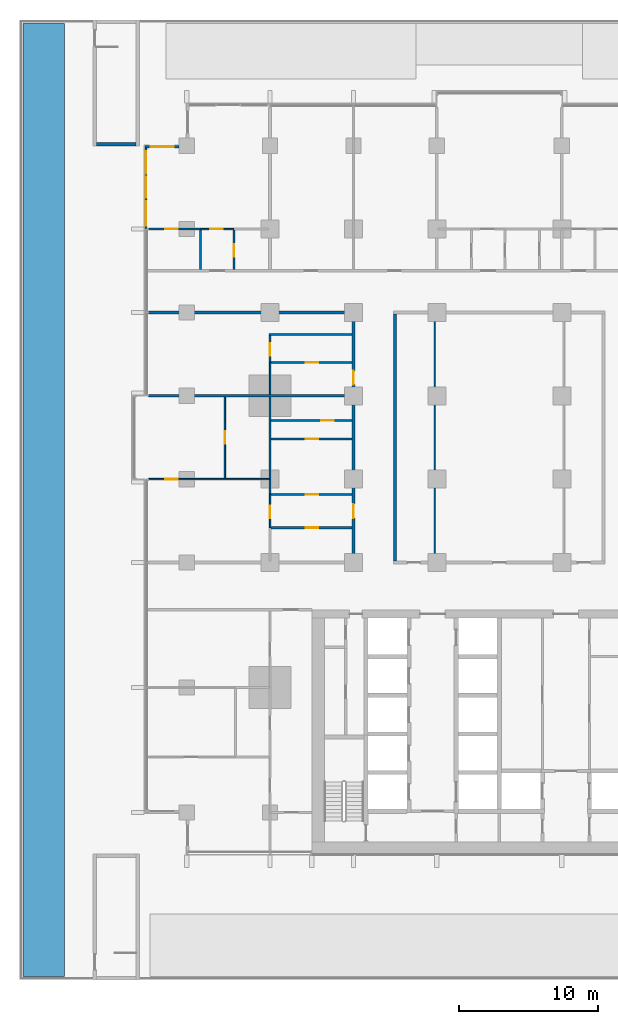
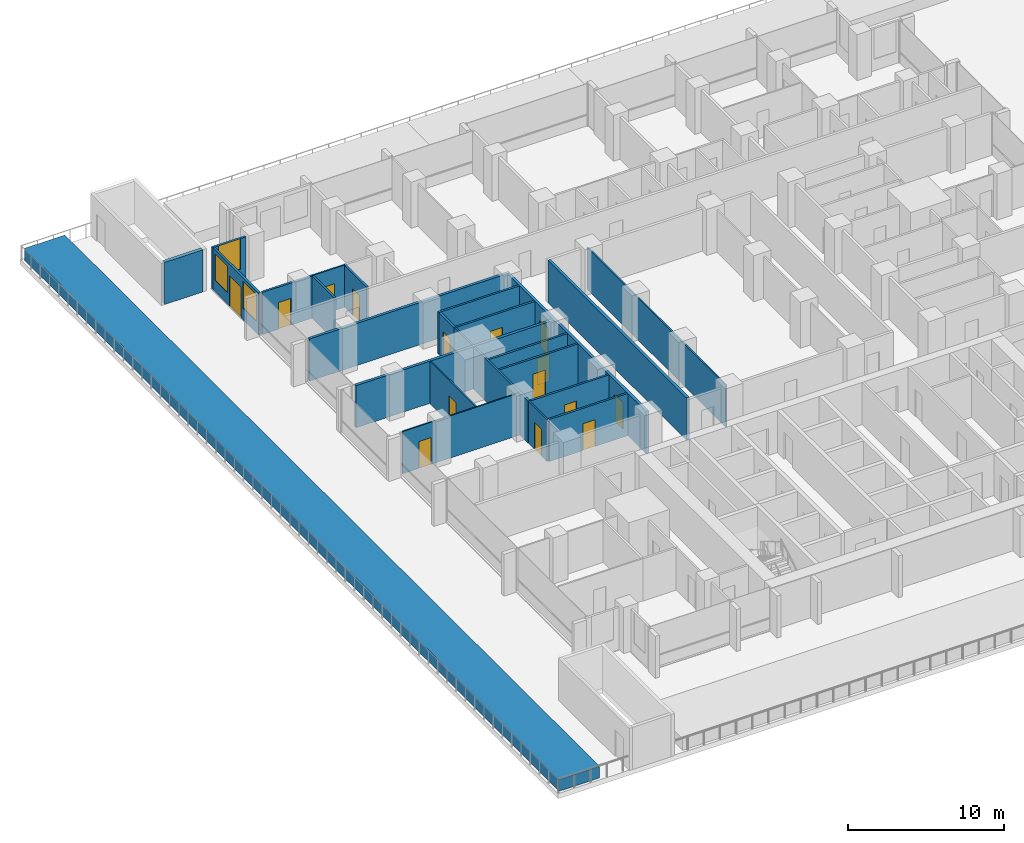
# One storey, part 13 of 25: 25 walls, 15 doors, 3 windows, 18 openings.
"""IFC4 building model written with IfcOpenShell, lengths in metres."""

from ifc_helpers import new_model, si_unit, direction, frame, frame_2d, origin, place, context, subcontext, project, spatial, rectangle, extrude, material, layer, layer_set, type_object, element, fill, save


model = new_model("IFC4")

# Units and contexts
model_context = context("Model", 3, precision=1e-05, world=origin(), true_north=direction((0.0, 1.0)))
body_context = subcontext(model_context, "Body", "Model", "MODEL_VIEW")
ifc_project = project(units=[si_unit("LENGTHUNIT", "METRE"), si_unit("AREAUNIT", "SQUARE_METRE"), si_unit("VOLUMEUNIT", "CUBIC_METRE"), si_unit("PLANEANGLEUNIT", "RADIAN"), si_unit("MASSUNIT", "GRAM", prefix="KILO")], contexts=[model_context])

# Site, building, storey
site_placement = place(None, origin())
site = spatial("IfcSite", under=ifc_project, at=site_placement, CompositionType="ELEMENT")
building_placement = place(site_placement, origin())
building = spatial("IfcBuilding", under=site, at=building_placement, Name="Finial Court Residences", CompositionType="ELEMENT")
storey_placement = place(building_placement, frame((0.0, 0.0, 32.5)))
storey = spatial("IfcBuildingStorey", under=building, at=storey_placement, Name="L06", CompositionType="ELEMENT", Elevation=32.5)

# Walls
ifc_material_1 = material(Name="Gypsum board")
ifc_layer_1 = layer(ifc_material_1, 0.02490234375)
ifc_material_2 = material(Name="Acoustic mineral wool in double frame")
ifc_layer_2 = layer(ifc_material_2, 0.14990234375)
ifc_layer_3 = layer(ifc_material_1, 0.02490234375)
ifc_layer_set_1 = layer_set([ifc_layer_1, ifc_layer_2, ifc_layer_3], Name="Acoustic party wall 200, 1 hour")
wall_type_1 = type_object("IfcWallType", Name="Acoustic party wall 200, 1 hour", PredefinedType="PARTITIONING", material=ifc_layer_set_1)
wall_1_placement = place(storey_placement, frame((-25.25, 7.5, 0.0), z_axis=(0.0, 0.0, 1.0), x_axis=(1.0, 0.0, 0.0)))
element("IfcWall", 1, at=wall_1_placement, inside=storey, type_object=wall_type_1, Name="Partition L06-025", PredefinedType="PARTITIONING", context=body_context, shape_type="SweptSolid", body=[
    extrude(rectangle(XDim=14.64990234375, YDim=0.199951171875, at=frame_2d((7.324951171875, 0.0))), origin(), (0.0, 0.0, 1.0), 3.300048828125),
])
ifc_layer_4 = layer(ifc_material_1, 0.02490234375)
ifc_layer_5 = layer(ifc_material_2, 0.14990234375)
ifc_layer_6 = layer(ifc_material_1, 0.02490234375)
ifc_layer_set_2 = layer_set([ifc_layer_4, ifc_layer_5, ifc_layer_6], Name="Corridor wall 200, 1 hour")
wall_type_2 = type_object("IfcWallType", Name="Corridor wall 200, 1 hour", PredefinedType="PARTITIONING", material=ifc_layer_set_2)
wall_2_placement = place(storey_placement, frame((-25.25, 13.5, 0.0), z_axis=(0.0, 0.0, 1.0), x_axis=(1.0, 0.0, 0.0)))
element("IfcWall", 2, at=wall_2_placement, inside=storey, type_object=wall_type_2, Name="Partition L06-031", PredefinedType="PARTITIONING", context=body_context, shape_type="SweptSolid", body=[
    extrude(rectangle(XDim=14.85009765625, YDim=0.199951171875, at=frame_2d((7.425048828125, 0.0))), origin(), (0.0, 0.0, 1.0), 3.300048828125),
])

# Wall, openings, doors
wall_3_placement = place(storey_placement, frame((-10.5, -4.39990234375, 0.0), z_axis=(0.0, 0.0, 1.0), x_axis=(0.0, 1.0, 0.0)))
wall_3 = element("IfcWall", 3, at=wall_3_placement, inside=storey, type_object=wall_type_2, Name="Partition L06-061", PredefinedType="PARTITIONING", context=body_context, shape_type="SweptSolid", body=[
    extrude(rectangle(XDim=17.7998046875, YDim=0.199951171875, at=frame_2d((8.89990234375, 0.0))), origin(), (0.0, 0.0, 1.0), 3.300048828125),
])
opening_1_placement = place(wall_3_placement, frame((3.10009765625, 0.0, 0.0)))
opening_1 = element("IfcOpeningElement", 4, at=opening_1_placement, cuts=wall_3, Name="Opening L06-D042", PredefinedType="OPENING", context=body_context, shape_type="SweptSolid", body=[
    extrude(rectangle(XDim=1.0, YDim=2.10009765625, at=frame_2d((0.5, 1.050048828125))), frame((0.0, 0.10986328125, 0.0), z_axis=(0.0, -1.0, 0.0), x_axis=(1.0, 0.0, 0.0)), (0.0, 0.0, 1.0), 0.219970703125),
])
opening_2_placement = place(wall_3_placement, frame((12.699951171875, 0.0, 0.0)))
opening_2 = element("IfcOpeningElement", 5, at=opening_2_placement, cuts=wall_3, Name="Opening L06-D043", PredefinedType="OPENING", context=body_context, shape_type="SweptSolid", body=[
    extrude(rectangle(XDim=1.0, YDim=2.10009765625, at=frame_2d((0.5, 1.050048828125))), frame((0.0, 0.10986328125, 0.0), z_axis=(0.0, -1.0, 0.0), x_axis=(1.0, 0.0, 0.0)), (0.0, 0.0, 1.0), 0.219970703125),
])
ifc_material_3 = material(Name="Timber door leaf in hollow metal frame", Category="wood")
door_type_1 = type_object("IfcDoorType", Name="Fire door set 1000 x 2100, 30 minutes", OperationType="SINGLE_SWING_LEFT", PredefinedType="DOOR", material=ifc_material_3)
door_1_placement = place(opening_1_placement, origin())
door_1 = element("IfcDoor", 6, at=door_1_placement, inside=storey, type_object=door_type_1, Name="Door L06-D042", OperationType="SINGLE_SWING_RIGHT", OverallHeight=2.10009765625, OverallWidth=1.0, PredefinedType="DOOR", context=body_context, shape_type="SweptSolid", body=[
    extrude(rectangle(XDim=1.0, YDim=2.10009765625, at=frame_2d((0.5, 1.050048828125))), frame((0.0, 0.02490234375, 0.0), z_axis=(0.0, -1.0, 0.0), x_axis=(1.0, 0.0, 0.0)), (0.0, 0.0, 1.0), 0.050048828125),
])
fill(opening_1, door_1)
door_2_placement = place(opening_2_placement, origin())
door_2 = element("IfcDoor", 7, at=door_2_placement, inside=storey, type_object=door_type_1, Name="Door L06-D043", OperationType="SINGLE_SWING_LEFT", OverallHeight=2.10009765625, OverallWidth=1.0, PredefinedType="DOOR", context=body_context, shape_type="SweptSolid", body=[
    extrude(rectangle(XDim=1.0, YDim=2.10009765625, at=frame_2d((0.5, 1.050048828125))), frame((0.0, 0.02490234375, 0.0), z_axis=(0.0, -1.0, 0.0), x_axis=(1.0, 0.0, 0.0)), (0.0, 0.0, 1.0), 0.050048828125),
])
fill(opening_2, door_2)

# Wall
wall_4_placement = place(storey_placement, frame((-7.5, -4.39990234375, 0.0), z_axis=(0.0, 0.0, 1.0), x_axis=(0.0, 1.0, 0.0)))
element("IfcWall", 8, at=wall_4_placement, inside=storey, type_object=wall_type_2, Name="Partition L06-063", PredefinedType="PARTITIONING", context=body_context, shape_type="SweptSolid", body=[
    extrude(rectangle(XDim=17.7998046875, YDim=0.199951171875, at=frame_2d((8.89990234375, 0.0))), origin(), (0.0, 0.0, 1.0), 3.300048828125),
])

# Wall, opening, door
ifc_layer_7 = layer(ifc_material_1, 0.012451171875)
ifc_material_4 = material(Name="Mineral wool in light-gauge frame")
ifc_layer_8 = layer(ifc_material_4, 0.074951171875)
ifc_layer_9 = layer(ifc_material_1, 0.012451171875)
ifc_layer_set_3 = layer_set([ifc_layer_7, ifc_layer_8, ifc_layer_9], Name="Gypsum board partition 100")
wall_type_3 = type_object("IfcWallType", Name="Gypsum board partition 100", PredefinedType="PARTITIONING", material=ifc_layer_set_3)
wall_5_placement = place(storey_placement, frame((-25.25, 1.5, 0.0), z_axis=(0.0, 0.0, 1.0), x_axis=(1.0, 0.0, 0.0)))
wall_5 = element("IfcWall", 9, at=wall_5_placement, inside=storey, type_object=wall_type_3, Name="Partition L06-018", PredefinedType="PARTITIONING", context=body_context, shape_type="SweptSolid", body=[
    extrude(rectangle(XDim=8.675048828125, YDim=0.10009765625, at=frame_2d((4.33740234375, 0.0))), origin(), (0.0, 0.0, 1.0), 3.300048828125),
])
opening_3_placement = place(wall_5_placement, frame((1.199951171875, 0.0, 0.0)))
opening_3 = element("IfcOpeningElement", 10, at=opening_3_placement, cuts=wall_5, Name="Opening L06-D013", PredefinedType="OPENING", context=body_context, shape_type="SweptSolid", body=[
    extrude(rectangle(XDim=0.89990234375, YDim=2.10009765625, at=frame_2d((0.449951171875, 1.050048828125))), frame((0.0, 0.06005859375, 0.0), z_axis=(0.0, -1.0, 0.0), x_axis=(1.0, 0.0, 0.0)), (0.0, 0.0, 1.0), 0.1201171875),
])
ifc_material_5 = material(Name="Timber door leaf in timber frame", Category="wood")
door_type_2 = type_object("IfcDoorType", Name="Door set 900 x 2100", OperationType="SINGLE_SWING_LEFT", PredefinedType="DOOR", material=ifc_material_5)
door_3_placement = place(opening_3_placement, origin())
door_3 = element("IfcDoor", 11, at=door_3_placement, inside=storey, type_object=door_type_2, Name="Door L06-D013", OperationType="SINGLE_SWING_RIGHT", OverallHeight=2.10009765625, OverallWidth=0.89990234375, PredefinedType="DOOR", context=body_context, shape_type="SweptSolid", body=[
    extrude(rectangle(XDim=0.89990234375, YDim=2.10009765625, at=frame_2d((0.449951171875, 1.050048828125))), frame((0.0, 0.02490234375, 0.0), z_axis=(0.0, -1.0, 0.0), x_axis=(1.0, 0.0, 0.0)), (0.0, 0.0, 1.0), 0.050048828125),
])
fill(opening_3, door_3)

wall_6_placement = place(storey_placement, frame((-21.5, 19.5, 0.0), z_axis=(0.0, 0.0, 1.0), x_axis=(1.0, 0.0, 0.0)))
wall_6 = element("IfcWall", 12, at=wall_6_placement, inside=storey, type_object=wall_type_3, Name="Partition L06-035", PredefinedType="PARTITIONING", context=body_context, shape_type="SweptSolid", body=[
    extrude(rectangle(XDim=2.39990234375, YDim=0.10009765625, at=frame_2d((1.199951171875, 0.0))), origin(), (0.0, 0.0, 1.0), 3.300048828125),
])
opening_4_placement = place(wall_6_placement, frame((0.699951171875, 0.0, 0.0)))
opening_4 = element("IfcOpeningElement", 13, at=opening_4_placement, cuts=wall_6, Name="Opening L06-D028", PredefinedType="OPENING", context=body_context, shape_type="SweptSolid", body=[
    extrude(rectangle(XDim=0.89990234375, YDim=2.10009765625, at=frame_2d((0.449951171875, 1.050048828125))), frame((0.0, 0.06005859375, 0.0), z_axis=(0.0, -1.0, 0.0), x_axis=(1.0, 0.0, 0.0)), (0.0, 0.0, 1.0), 0.1201171875),
])
door_4_placement = place(opening_4_placement, origin())
door_4 = element("IfcDoor", 14, at=door_4_placement, inside=storey, type_object=door_type_2, Name="Door L06-D028", OperationType="SINGLE_SWING_LEFT", OverallHeight=2.10009765625, OverallWidth=0.89990234375, PredefinedType="DOOR", context=body_context, shape_type="SweptSolid", body=[
    extrude(rectangle(XDim=0.89990234375, YDim=2.10009765625, at=frame_2d((0.449951171875, 1.050048828125))), frame((0.0, 0.02490234375, 0.0), z_axis=(0.0, -1.0, 0.0), x_axis=(1.0, 0.0, 0.0)), (0.0, 0.0, 1.0), 0.050048828125),
])
fill(opening_4, door_4)

wall_7_placement = place(storey_placement, frame((-19.75, 1.550048828125, 0.0), z_axis=(0.0, 0.0, 1.0), x_axis=(0.0, 1.0, 0.0)))
wall_7 = element("IfcWall", 15, at=wall_7_placement, inside=storey, type_object=wall_type_3, Name="Partition L06-048", PredefinedType="PARTITIONING", context=body_context, shape_type="SweptSolid", body=[
    extrude(rectangle(XDim=5.849853515625, YDim=0.10009765625, at=frame_2d((2.9248046875, 0.0))), origin(), (0.0, 0.0, 1.0), 3.300048828125),
])
opening_5_placement = place(wall_7_placement, frame((2.5, 0.0, 0.0)))
opening_5 = element("IfcOpeningElement", 16, at=opening_5_placement, cuts=wall_7, Name="Opening L06-D035", PredefinedType="OPENING", context=body_context, shape_type="SweptSolid", body=[
    extrude(rectangle(XDim=0.89990234375, YDim=2.10009765625, at=frame_2d((0.449951171875, 1.050048828125))), frame((0.0, 0.06005859375, 0.0), z_axis=(0.0, -1.0, 0.0), x_axis=(1.0, 0.0, 0.0)), (0.0, 0.0, 1.0), 0.1201171875),
])
door_5_placement = place(opening_5_placement, origin())
door_5 = element("IfcDoor", 17, at=door_5_placement, inside=storey, type_object=door_type_2, Name="Door L06-D035", OperationType="SINGLE_SWING_LEFT", OverallHeight=2.10009765625, OverallWidth=0.89990234375, PredefinedType="DOOR", context=body_context, shape_type="SweptSolid", body=[
    extrude(rectangle(XDim=0.89990234375, YDim=2.10009765625, at=frame_2d((0.449951171875, 1.050048828125))), frame((0.0, 0.02490234375, 0.0), z_axis=(0.0, -1.0, 0.0), x_axis=(1.0, 0.0, 0.0)), (0.0, 0.0, 1.0), 0.050048828125),
])
fill(opening_5, door_5)

wall_8_placement = place(storey_placement, frame((-16.5, -2.0, 0.0), z_axis=(0.0, 0.0, 1.0), x_axis=(0.0, 1.0, 0.0)))
wall_8 = element("IfcWall", 18, at=wall_8_placement, inside=storey, type_object=wall_type_3, Name="Partition L06-054", PredefinedType="PARTITIONING", context=body_context, shape_type="SweptSolid", body=[
    extrude(rectangle(XDim=2.39990234375, YDim=0.10009765625, at=frame_2d((1.199951171875, 0.0))), origin(), (0.0, 0.0, 1.0), 3.300048828125),
])
opening_6_placement = place(wall_8_placement, frame((0.699951171875, 0.0, 0.0)))
opening_6 = element("IfcOpeningElement", 19, at=opening_6_placement, cuts=wall_8, Name="Opening L06-D039", PredefinedType="OPENING", context=body_context, shape_type="SweptSolid", body=[
    extrude(rectangle(XDim=0.89990234375, YDim=2.10009765625, at=frame_2d((0.449951171875, 1.050048828125))), frame((0.0, 0.06005859375, 0.0), z_axis=(0.0, -1.0, 0.0), x_axis=(1.0, 0.0, 0.0)), (0.0, 0.0, 1.0), 0.1201171875),
])
door_6_placement = place(opening_6_placement, origin())
door_6 = element("IfcDoor", 20, at=door_6_placement, inside=storey, type_object=door_type_2, Name="Door L06-D039", OperationType="SINGLE_SWING_RIGHT", OverallHeight=2.10009765625, OverallWidth=0.89990234375, PredefinedType="DOOR", context=body_context, shape_type="SweptSolid", body=[
    extrude(rectangle(XDim=0.89990234375, YDim=2.10009765625, at=frame_2d((0.449951171875, 1.050048828125))), frame((0.0, 0.02490234375, 0.0), z_axis=(0.0, -1.0, 0.0), x_axis=(1.0, 0.0, 0.0)), (0.0, 0.0, 1.0), 0.050048828125),
])
fill(opening_6, door_6)

# Walls
wall_9_placement = place(storey_placement, frame((-16.5, 7.60009765625, 0.0), z_axis=(0.0, 0.0, 1.0), x_axis=(0.0, 1.0, 0.0)))
element("IfcWall", 21, at=wall_9_placement, inside=storey, type_object=wall_type_3, Name="Partition L06-055", PredefinedType="PARTITIONING", context=body_context, shape_type="SweptSolid", body=[
    extrude(rectangle(XDim=2.2998046875, YDim=0.10009765625, at=frame_2d((1.14990234375, 0.0))), origin(), (0.0, 0.0, 1.0), 3.300048828125),
])
wall_10_placement = place(storey_placement, frame((-4.64990234375, -4.39990234375, 0.0), z_axis=(0.0, 0.0, 1.0), x_axis=(0.0, 1.0, 0.0)))
element("IfcWall", 22, at=wall_10_placement, inside=storey, type_object=wall_type_3, Name="Partition L06-064", PredefinedType="PARTITIONING", context=body_context, shape_type="SweptSolid", body=[
    extrude(rectangle(XDim=17.7998046875, YDim=0.10009765625, at=frame_2d((8.89990234375, 0.0))), origin(), (0.0, 0.0, 1.0), 3.300048828125),
])

# Wall, opening, door
ifc_material_6 = material(Name="Moisture-resistant gypsum board")
ifc_layer_10 = layer(ifc_material_6, 0.012451171875)
ifc_layer_11 = layer(ifc_material_4, 0.125)
ifc_layer_12 = layer(ifc_material_6, 0.012451171875)
ifc_layer_set_4 = layer_set([ifc_layer_10, ifc_layer_11, ifc_layer_12], Name="Gypsum board wet-area partition 150")
wall_type_4 = type_object("IfcWallType", Name="Gypsum board wet-area partition 150", PredefinedType="PARTITIONING", material=ifc_layer_set_4)
wall_11_placement = place(storey_placement, frame((-16.425048828125, -2.0, 0.0), z_axis=(0.0, 0.0, 1.0), x_axis=(1.0, 0.0, 0.0)))
wall_11 = element("IfcWall", 23, at=wall_11_placement, inside=storey, type_object=wall_type_4, Name="Partition L06-015", PredefinedType="PARTITIONING", context=body_context, shape_type="SweptSolid", body=[
    extrude(rectangle(XDim=5.824951171875, YDim=0.14990234375, at=frame_2d((2.91259765625, 0.0))), origin(), (0.0, 0.0, 1.0), 3.300048828125),
])
opening_7_placement = place(wall_11_placement, frame((2.5, 0.0, 0.0)))
opening_7 = element("IfcOpeningElement", 24, at=opening_7_placement, cuts=wall_11, Name="Opening L06-D011", PredefinedType="OPENING", context=body_context, shape_type="SweptSolid", body=[
    extrude(rectangle(XDim=0.89990234375, YDim=2.10009765625, at=frame_2d((0.449951171875, 1.050048828125))), frame((0.0, 0.0849609375, 0.0), z_axis=(0.0, -1.0, 0.0), x_axis=(1.0, 0.0, 0.0)), (0.0, 0.0, 1.0), 0.169921875),
])
door_7_placement = place(opening_7_placement, origin())
door_7 = element("IfcDoor", 25, at=door_7_placement, inside=storey, type_object=door_type_2, Name="Door L06-D011", OperationType="SINGLE_SWING_LEFT", OverallHeight=2.10009765625, OverallWidth=0.89990234375, PredefinedType="DOOR", context=body_context, shape_type="SweptSolid", body=[
    extrude(rectangle(XDim=0.89990234375, YDim=2.10009765625, at=frame_2d((0.449951171875, 1.050048828125))), frame((0.0, 0.02490234375, 0.0), z_axis=(0.0, -1.0, 0.0), x_axis=(1.0, 0.0, 0.0)), (0.0, 0.0, 1.0), 0.050048828125),
])
fill(opening_7, door_7)

wall_12_placement = place(storey_placement, frame((-16.425048828125, 0.39990234375, 0.0), z_axis=(0.0, 0.0, 1.0), x_axis=(1.0, 0.0, 0.0)))
wall_12 = element("IfcWall", 26, at=wall_12_placement, inside=storey, type_object=wall_type_4, Name="Partition L06-017", PredefinedType="PARTITIONING", context=body_context, shape_type="SweptSolid", body=[
    extrude(rectangle(XDim=5.824951171875, YDim=0.14990234375, at=frame_2d((2.91259765625, 0.0))), origin(), (0.0, 0.0, 1.0), 3.300048828125),
])
opening_8_placement = place(wall_12_placement, frame((2.5, 0.0, 0.0)))
opening_8 = element("IfcOpeningElement", 27, at=opening_8_placement, cuts=wall_12, Name="Opening L06-D012", PredefinedType="OPENING", context=body_context, shape_type="SweptSolid", body=[
    extrude(rectangle(XDim=0.89990234375, YDim=2.10009765625, at=frame_2d((0.449951171875, 1.050048828125))), frame((0.0, 0.0849609375, 0.0), z_axis=(0.0, -1.0, 0.0), x_axis=(1.0, 0.0, 0.0)), (0.0, 0.0, 1.0), 0.169921875),
])
door_8_placement = place(opening_8_placement, origin())
door_8 = element("IfcDoor", 28, at=door_8_placement, inside=storey, type_object=door_type_2, Name="Door L06-D012", OperationType="SINGLE_SWING_LEFT", OverallHeight=2.10009765625, OverallWidth=0.89990234375, PredefinedType="DOOR", context=body_context, shape_type="SweptSolid", body=[
    extrude(rectangle(XDim=0.89990234375, YDim=2.10009765625, at=frame_2d((0.449951171875, 1.050048828125))), frame((0.0, 0.02490234375, 0.0), z_axis=(0.0, -1.0, 0.0), x_axis=(1.0, 0.0, 0.0)), (0.0, 0.0, 1.0), 0.050048828125),
])
fill(opening_8, door_8)

wall_13_placement = place(storey_placement, frame((-16.425048828125, 4.39990234375, 0.0), z_axis=(0.0, 0.0, 1.0), x_axis=(1.0, 0.0, 0.0)))
wall_13 = element("IfcWall", 29, at=wall_13_placement, inside=storey, type_object=wall_type_4, Name="Partition L06-020", PredefinedType="PARTITIONING", context=body_context, shape_type="SweptSolid", body=[
    extrude(rectangle(XDim=5.824951171875, YDim=0.14990234375, at=frame_2d((2.91259765625, 0.0))), origin(), (0.0, 0.0, 1.0), 3.300048828125),
])
opening_9_placement = place(wall_13_placement, frame((2.5, 0.0, 0.0)))
opening_9 = element("IfcOpeningElement", 30, at=opening_9_placement, cuts=wall_13, Name="Opening L06-D014", PredefinedType="OPENING", context=body_context, shape_type="SweptSolid", body=[
    extrude(rectangle(XDim=0.89990234375, YDim=2.10009765625, at=frame_2d((0.449951171875, 1.050048828125))), frame((0.0, 0.0849609375, 0.0), z_axis=(0.0, -1.0, 0.0), x_axis=(1.0, 0.0, 0.0)), (0.0, 0.0, 1.0), 0.169921875),
])
door_9_placement = place(opening_9_placement, origin())
door_9 = element("IfcDoor", 31, at=door_9_placement, inside=storey, type_object=door_type_2, Name="Door L06-D014", OperationType="SINGLE_SWING_LEFT", OverallHeight=2.10009765625, OverallWidth=0.89990234375, PredefinedType="DOOR", context=body_context, shape_type="SweptSolid", body=[
    extrude(rectangle(XDim=0.89990234375, YDim=2.10009765625, at=frame_2d((0.449951171875, 1.050048828125))), frame((0.0, 0.02490234375, 0.0), z_axis=(0.0, -1.0, 0.0), x_axis=(1.0, 0.0, 0.0)), (0.0, 0.0, 1.0), 0.050048828125),
])
fill(opening_9, door_9)

wall_14_placement = place(storey_placement, frame((-16.425048828125, 5.73291015625, 0.0), z_axis=(0.0, 0.0, 1.0), x_axis=(1.0, 0.0, 0.0)))
wall_14 = element("IfcWall", 32, at=wall_14_placement, inside=storey, type_object=wall_type_4, Name="Partition L06-023", PredefinedType="PARTITIONING", context=body_context, shape_type="SweptSolid", body=[
    extrude(rectangle(XDim=5.824951171875, YDim=0.14990234375, at=frame_2d((2.91259765625, 0.0))), origin(), (0.0, 0.0, 1.0), 3.300048828125),
])
opening_10_placement = place(wall_14_placement, frame((3.60009765625, 0.0, 0.0)))
opening_10 = element("IfcOpeningElement", 33, at=opening_10_placement, cuts=wall_14, Name="Opening L06-D016", PredefinedType="OPENING", context=body_context, shape_type="SweptSolid", body=[
    extrude(rectangle(XDim=0.89990234375, YDim=2.10009765625, at=frame_2d((0.449951171875, 1.050048828125))), frame((0.0, 0.0849609375, 0.0), z_axis=(0.0, -1.0, 0.0), x_axis=(1.0, 0.0, 0.0)), (0.0, 0.0, 1.0), 0.169921875),
])
door_10_placement = place(opening_10_placement, origin())
door_10 = element("IfcDoor", 34, at=door_10_placement, inside=storey, type_object=door_type_2, Name="Door L06-D016", OperationType="SINGLE_SWING_LEFT", OverallHeight=2.10009765625, OverallWidth=0.89990234375, PredefinedType="DOOR", context=body_context, shape_type="SweptSolid", body=[
    extrude(rectangle(XDim=0.89990234375, YDim=2.10009765625, at=frame_2d((0.449951171875, 1.050048828125))), frame((0.0, 0.02490234375, 0.0), z_axis=(0.0, -1.0, 0.0), x_axis=(1.0, 0.0, 0.0)), (0.0, 0.0, 1.0), 0.050048828125),
])
fill(opening_10, door_10)

wall_15_placement = place(storey_placement, frame((-16.425048828125, 9.89990234375, 0.0), z_axis=(0.0, 0.0, 1.0), x_axis=(1.0, 0.0, 0.0)))
wall_15 = element("IfcWall", 35, at=wall_15_placement, inside=storey, type_object=wall_type_4, Name="Partition L06-027", PredefinedType="PARTITIONING", context=body_context, shape_type="SweptSolid", body=[
    extrude(rectangle(XDim=5.824951171875, YDim=0.14990234375, at=frame_2d((2.91259765625, 0.0))), origin(), (0.0, 0.0, 1.0), 3.300048828125),
])
opening_11_placement = place(wall_15_placement, frame((2.5, 0.0, 0.0)))
opening_11 = element("IfcOpeningElement", 36, at=opening_11_placement, cuts=wall_15, Name="Opening L06-D019", PredefinedType="OPENING", context=body_context, shape_type="SweptSolid", body=[
    extrude(rectangle(XDim=0.89990234375, YDim=2.10009765625, at=frame_2d((0.449951171875, 1.050048828125))), frame((0.0, 0.0849609375, 0.0), z_axis=(0.0, -1.0, 0.0), x_axis=(1.0, 0.0, 0.0)), (0.0, 0.0, 1.0), 0.169921875),
])
door_11_placement = place(opening_11_placement, origin())
door_11 = element("IfcDoor", 37, at=door_11_placement, inside=storey, type_object=door_type_2, Name="Door L06-D019", OperationType="SINGLE_SWING_LEFT", OverallHeight=2.10009765625, OverallWidth=0.89990234375, PredefinedType="DOOR", context=body_context, shape_type="SweptSolid", body=[
    extrude(rectangle(XDim=0.89990234375, YDim=2.10009765625, at=frame_2d((0.449951171875, 1.050048828125))), frame((0.0, 0.02490234375, 0.0), z_axis=(0.0, -1.0, 0.0), x_axis=(1.0, 0.0, 0.0)), (0.0, 0.0, 1.0), 0.050048828125),
])
fill(opening_11, door_11)

# Wall
wall_16_placement = place(storey_placement, frame((-16.574951171875, 11.89990234375, 0.0), z_axis=(0.0, 0.0, 1.0), x_axis=(1.0, 0.0, 0.0)))
element("IfcWall", 38, at=wall_16_placement, inside=storey, type_object=wall_type_4, Name="Partition L06-029", PredefinedType="PARTITIONING", context=body_context, shape_type="SweptSolid", body=[
    extrude(rectangle(XDim=5.974853515625, YDim=0.14990234375, at=frame_2d((2.9873046875, 0.0))), origin(), (0.0, 0.0, 1.0), 3.300048828125),
])

# Wall, opening, door
wall_17_placement = place(storey_placement, frame((-25.25, 19.5, 0.0), z_axis=(0.0, 0.0, 1.0), x_axis=(1.0, 0.0, 0.0)))
wall_17 = element("IfcWall", 39, at=wall_17_placement, inside=storey, type_object=wall_type_4, Name="Partition L06-039", PredefinedType="PARTITIONING", context=body_context, shape_type="SweptSolid", body=[
    extrude(rectangle(XDim=3.75, YDim=0.14990234375, at=frame_2d((1.875, 0.0))), origin(), (0.0, 0.0, 1.0), 3.300048828125),
])
opening_12_placement = place(wall_17_placement, frame((1.199951171875, 0.0, 0.0)))
opening_12 = element("IfcOpeningElement", 40, at=opening_12_placement, cuts=wall_17, Name="Opening L06-D032", PredefinedType="OPENING", context=body_context, shape_type="SweptSolid", body=[
    extrude(rectangle(XDim=0.89990234375, YDim=2.10009765625, at=frame_2d((0.449951171875, 1.050048828125))), frame((0.0, 0.0849609375, 0.0), z_axis=(0.0, -1.0, 0.0), x_axis=(1.0, 0.0, 0.0)), (0.0, 0.0, 1.0), 0.169921875),
])
door_12_placement = place(opening_12_placement, origin())
door_12 = element("IfcDoor", 41, at=door_12_placement, inside=storey, type_object=door_type_2, Name="Door L06-D032", OperationType="SINGLE_SWING_LEFT", OverallHeight=2.10009765625, OverallWidth=0.89990234375, PredefinedType="DOOR", context=body_context, shape_type="SweptSolid", body=[
    extrude(rectangle(XDim=0.89990234375, YDim=2.10009765625, at=frame_2d((0.449951171875, 1.050048828125))), frame((0.0, 0.02490234375, 0.0), z_axis=(0.0, -1.0, 0.0), x_axis=(1.0, 0.0, 0.0)), (0.0, 0.0, 1.0), 0.050048828125),
])
fill(opening_12, door_12)

# Wall
wall_18_placement = place(storey_placement, frame((-21.5, 16.60009765625, 0.0), z_axis=(0.0, 0.0, 1.0), x_axis=(0.0, 1.0, 0.0)))
element("IfcWall", 42, at=wall_18_placement, inside=storey, type_object=wall_type_4, Name="Partition L06-047", PredefinedType="PARTITIONING", context=body_context, shape_type="SweptSolid", body=[
    extrude(rectangle(XDim=2.824951171875, YDim=0.14990234375, at=frame_2d((1.41259765625, 0.0))), origin(), (0.0, 0.0, 1.0), 3.300048828125),
])

# Wall, opening, door
wall_19_placement = place(storey_placement, frame((-19.10009765625, 16.60009765625, 0.0), z_axis=(0.0, 0.0, 1.0), x_axis=(0.0, 1.0, 0.0)))
wall_19 = element("IfcWall", 43, at=wall_19_placement, inside=storey, type_object=wall_type_4, Name="Partition L06-049", PredefinedType="PARTITIONING", context=body_context, shape_type="SweptSolid", body=[
    extrude(rectangle(XDim=2.824951171875, YDim=0.14990234375, at=frame_2d((1.41259765625, 0.0))), origin(), (0.0, 0.0, 1.0), 3.300048828125),
])
opening_13_placement = place(wall_19_placement, frame((0.89990234375, 0.0, 0.0)))
opening_13 = element("IfcOpeningElement", 44, at=opening_13_placement, cuts=wall_19, Name="Opening L06-D036", PredefinedType="OPENING", context=body_context, shape_type="SweptSolid", body=[
    extrude(rectangle(XDim=0.89990234375, YDim=2.10009765625, at=frame_2d((0.449951171875, 1.050048828125))), frame((0.0, 0.0849609375, 0.0), z_axis=(0.0, -1.0, 0.0), x_axis=(1.0, 0.0, 0.0)), (0.0, 0.0, 1.0), 0.169921875),
])
door_13_placement = place(opening_13_placement, origin())
door_13 = element("IfcDoor", 45, at=door_13_placement, inside=storey, type_object=door_type_2, Name="Door L06-D036", OperationType="SINGLE_SWING_LEFT", OverallHeight=2.10009765625, OverallWidth=0.89990234375, PredefinedType="DOOR", context=body_context, shape_type="SweptSolid", body=[
    extrude(rectangle(XDim=0.89990234375, YDim=2.10009765625, at=frame_2d((0.449951171875, 1.050048828125))), frame((0.0, 0.02490234375, 0.0), z_axis=(0.0, -1.0, 0.0), x_axis=(1.0, 0.0, 0.0)), (0.0, 0.0, 1.0), 0.050048828125),
])
fill(opening_13, door_13)

# Wall
wall_20_placement = place(storey_placement, frame((-16.5, 0.39990234375, 0.0), z_axis=(0.0, 0.0, 1.0), x_axis=(0.0, 1.0, 0.0)))
element("IfcWall", 46, at=wall_20_placement, inside=storey, type_object=wall_type_4, Name="Partition L06-059", PredefinedType="PARTITIONING", context=body_context, shape_type="SweptSolid", body=[
    extrude(rectangle(XDim=7.0, YDim=0.14990234375, at=frame_2d((3.5, 0.0))), origin(), (0.0, 0.0, 1.0), 3.300048828125),
])

# Wall, opening, door
wall_21_placement = place(storey_placement, frame((-16.5, 9.89990234375, 0.0), z_axis=(0.0, 0.0, 1.0), x_axis=(0.0, 1.0, 0.0)))
wall_21 = element("IfcWall", 47, at=wall_21_placement, inside=storey, type_object=wall_type_4, Name="Partition L06-060", PredefinedType="PARTITIONING", context=body_context, shape_type="SweptSolid", body=[
    extrude(rectangle(XDim=1.925048828125, YDim=0.14990234375, at=frame_2d((0.96240234375, 0.0))), origin(), (0.0, 0.0, 1.0), 3.300048828125),
])
opening_14_placement = place(wall_21_placement, frame((0.5, 0.0, 0.0)))
opening_14 = element("IfcOpeningElement", 48, at=opening_14_placement, cuts=wall_21, Name="Opening L06-D041", PredefinedType="OPENING", context=body_context, shape_type="SweptSolid", body=[
    extrude(rectangle(XDim=0.89990234375, YDim=2.10009765625, at=frame_2d((0.449951171875, 1.050048828125))), frame((0.0, 0.0849609375, 0.0), z_axis=(0.0, -1.0, 0.0), x_axis=(1.0, 0.0, 0.0)), (0.0, 0.0, 1.0), 0.169921875),
])
door_14_placement = place(opening_14_placement, origin())
door_14 = element("IfcDoor", 49, at=door_14_placement, inside=storey, type_object=door_type_2, Name="Door L06-D041", OperationType="SINGLE_SWING_RIGHT", OverallHeight=2.10009765625, OverallWidth=0.89990234375, PredefinedType="DOOR", context=body_context, shape_type="SweptSolid", body=[
    extrude(rectangle(XDim=0.89990234375, YDim=2.10009765625, at=frame_2d((0.449951171875, 1.050048828125))), frame((0.0, 0.02490234375, 0.0), z_axis=(0.0, -1.0, 0.0), x_axis=(1.0, 0.0, 0.0)), (0.0, 0.0, 1.0), 0.050048828125),
])
fill(opening_14, door_14)

# Wall, opening, window
ifc_material_7 = material(Name="Natural limestone", Category="masonry")
ifc_layer_13 = layer(ifc_material_7, 0.14990234375)
ifc_layer_set_5 = layer_set([ifc_layer_13], Name="Limestone clad wall 150")
wall_type_5 = type_object("IfcWallType", Name="Limestone clad wall 150", PredefinedType="SOLIDWALL", material=ifc_layer_set_5)
wall_22_placement = place(storey_placement, frame((-25.5, 25.425048828125, 0.0), z_axis=(0.0, 0.0, 1.0), x_axis=(1.0, 0.0, 0.0)))
wall_22 = element("IfcWall", 50, at=wall_22_placement, inside=storey, type_object=wall_type_5, Name="E-L06-NWN17", PredefinedType="SOLIDWALL", context=body_context, shape_type="SweptSolid", body=[
    extrude(rectangle(XDim=2.449951171875, YDim=0.14990234375, at=frame_2d((1.22509765625, 0.0))), origin(), (0.0, 0.0, 1.0), 3.300048828125),
])
opening_15_placement = place(wall_22_placement, frame((0.39990234375, 0.0, 0.89990234375)))
opening_15 = element("IfcOpeningElement", 51, at=opening_15_placement, cuts=wall_22, Name="Opening WE06-06", PredefinedType="OPENING", context=body_context, shape_type="SweptSolid", body=[
    extrude(rectangle(XDim=1.64990234375, YDim=2.39990234375, at=frame_2d((0.824951171875, 1.199951171875))), frame((0.0, 0.0849609375, 0.0), z_axis=(0.0, -1.0, 0.0), x_axis=(1.0, 0.0, 0.0)), (0.0, 0.0, 1.0), 0.169921875),
])
ifc_material_8 = material(Name="Clear low-e glass", Category="glass")
window_type_1 = type_object("IfcWindowType", Name="Corner window 1650 x 2400", PartitioningType="SINGLE_PANEL", PredefinedType="WINDOW", material=ifc_material_8)
window_1_placement = place(opening_15_placement, origin())
window_1 = element("IfcWindow", 52, at=window_1_placement, inside=storey, type_object=window_type_1, Name="E-L06-NWN17-W1", OverallHeight=2.39990234375, OverallWidth=1.64990234375, PartitioningType="SINGLE_PANEL", PredefinedType="WINDOW", context=body_context, shape_type="SweptSolid", body=[
    extrude(rectangle(XDim=1.64990234375, YDim=2.39990234375, at=frame_2d((0.824951171875, 1.199951171875))), frame((0.0, 0.030029296875, 0.0), z_axis=(0.0, -1.0, 0.0), x_axis=(1.0, 0.0, 0.0)), (0.0, 0.0, 1.0), 0.06005859375),
])
fill(opening_15, window_1)

# Wall, openings, door, windows
wall_23_placement = place(storey_placement, frame((-25.425048828125, 19.5, 0.0), z_axis=(0.0, 0.0, 1.0), x_axis=(0.0, 1.0, 0.0)))
wall_23 = element("IfcWall", 53, at=wall_23_placement, inside=storey, type_object=wall_type_5, Name="E-L06-L06-TD4-W", PredefinedType="SOLIDWALL", context=body_context, shape_type="SweptSolid", body=[
    extrude(rectangle(XDim=5.85009765625, YDim=0.14990234375, at=frame_2d((2.925048828125, 0.0))), origin(), (0.0, 0.0, 1.0), 3.300048828125),
])
opening_16_placement = place(wall_23_placement, frame((2.25, 0.0, 0.0)))
opening_16 = element("IfcOpeningElement", 54, at=opening_16_placement, cuts=wall_23, Name="Opening DE06-04", PredefinedType="OPENING", context=body_context, shape_type="SweptSolid", body=[
    extrude(rectangle(XDim=1.5, YDim=2.39990234375, at=frame_2d((0.75, 1.199951171875))), frame((0.0, 0.0849609375, 0.0), z_axis=(0.0, -1.0, 0.0), x_axis=(1.0, 0.0, 0.0)), (0.0, 0.0, 1.0), 0.169921875),
])
opening_17_placement = place(wall_23_placement, frame((0.25, 0.0, 0.89990234375)))
opening_17 = element("IfcOpeningElement", 55, at=opening_17_placement, cuts=wall_23, Name="Opening WE06-14", PredefinedType="OPENING", context=body_context, shape_type="SweptSolid", body=[
    extrude(rectangle(XDim=1.75, YDim=2.10009765625, at=frame_2d((0.875, 1.050048828125))), frame((0.0, 0.0849609375, 0.0), z_axis=(0.0, -1.0, 0.0), x_axis=(1.0, 0.0, 0.0)), (0.0, 0.0, 1.0), 0.169921875),
])
opening_18_placement = place(wall_23_placement, frame((4.0, 0.0, 0.89990234375)))
opening_18 = element("IfcOpeningElement", 56, at=opening_18_placement, cuts=wall_23, Name="Opening WE06-15", PredefinedType="OPENING", context=body_context, shape_type="SweptSolid", body=[
    extrude(rectangle(XDim=1.60009765625, YDim=2.10009765625, at=frame_2d((0.800048828125, 1.050048828125))), frame((0.0, 0.0849609375, 0.0), z_axis=(0.0, -1.0, 0.0), x_axis=(1.0, 0.0, 0.0)), (0.0, 0.0, 1.0), 0.169921875),
])
ifc_material_9 = material(Name="Bronze anodised aluminium", Category="aluminium")
door_type_3 = type_object("IfcDoorType", Name="Terrace door 1500 x 2400", OperationType="DOUBLE_DOOR_SINGLE_SWING", PredefinedType="DOOR", material=ifc_material_9)
door_15_placement = place(opening_16_placement, origin())
door_15 = element("IfcDoor", 57, at=door_15_placement, inside=storey, type_object=door_type_3, Name="E-L06-L06-TD4-W-D", OperationType="DOUBLE_DOOR_SINGLE_SWING", OverallHeight=2.39990234375, OverallWidth=1.5, PredefinedType="DOOR", context=body_context, shape_type="SweptSolid", body=[
    extrude(rectangle(XDim=1.5, YDim=2.39990234375, at=frame_2d((0.75, 1.199951171875))), frame((0.0, 0.02490234375, 0.0), z_axis=(0.0, -1.0, 0.0), x_axis=(1.0, 0.0, 0.0)), (0.0, 0.0, 1.0), 0.050048828125),
])
fill(opening_16, door_15)
window_type_2 = type_object("IfcWindowType", Name="Terrace window 1600 x 2100", PartitioningType="SINGLE_PANEL", PredefinedType="WINDOW", material=ifc_material_8)
window_2_placement = place(opening_18_placement, origin())
window_2 = element("IfcWindow", 58, at=window_2_placement, inside=storey, type_object=window_type_2, Name="E-L06-L06-TD4-W-W2", OverallHeight=2.10009765625, OverallWidth=1.60009765625, PartitioningType="SINGLE_PANEL", PredefinedType="WINDOW", context=body_context, shape_type="SweptSolid", body=[
    extrude(rectangle(XDim=1.60009765625, YDim=2.10009765625, at=frame_2d((0.800048828125, 1.050048828125))), frame((0.0, 0.030029296875, 0.0), z_axis=(0.0, -1.0, 0.0), x_axis=(1.0, 0.0, 0.0)), (0.0, 0.0, 1.0), 0.06005859375),
])
fill(opening_18, window_2)
window_type_3 = type_object("IfcWindowType", Name="Terrace window 1750 x 2100", PartitioningType="SINGLE_PANEL", PredefinedType="WINDOW", material=ifc_material_8)
window_3_placement = place(opening_17_placement, origin())
window_3 = element("IfcWindow", 59, at=window_3_placement, inside=storey, type_object=window_type_3, Name="E-L06-L06-TD4-W-W1", OverallHeight=2.10009765625, OverallWidth=1.75, PartitioningType="SINGLE_PANEL", PredefinedType="WINDOW", context=body_context, shape_type="SweptSolid", body=[
    extrude(rectangle(XDim=1.75, YDim=2.10009765625, at=frame_2d((0.875, 1.050048828125))), frame((0.0, 0.030029296875, 0.0), z_axis=(0.0, -1.0, 0.0), x_axis=(1.0, 0.0, 0.0)), (0.0, 0.0, 1.0), 0.06005859375),
])
fill(opening_17, window_3)

# Walls
ifc_material_10 = material(Name="Concrete C40/50", Category="concrete")
ifc_layer_14 = layer(ifc_material_10, 0.199951171875)
ifc_material_11 = material(Name="Planting soil", Category="soil")
ifc_layer_15 = layer(ifc_material_11, 2.60009765625)
ifc_layer_16 = layer(ifc_material_10, 0.199951171875)
ifc_layer_set_6 = layer_set([ifc_layer_14, ifc_layer_15, ifc_layer_16], Name="Planter wall, terrace 3000")
wall_type_6 = type_object("IfcWallType", Name="Planter wall, terrace 3000", PredefinedType="USERDEFINED", material=ifc_layer_set_6)
wall_24_placement = place(storey_placement, frame((-32.800048828125, -34.300048828125, 0.0), z_axis=(0.0, 0.0, 1.0), x_axis=(0.0, 1.0, 0.0)))
element("IfcWall", 60, at=wall_24_placement, inside=storey, type_object=wall_type_6, Name="E-L06-TER1-PL2", ObjectType="PLANTER", PredefinedType="USERDEFINED", context=body_context, shape_type="SweptSolid", body=[
    extrude(rectangle(XDim=68.60009765625, YDim=3.0, at=frame_2d((34.300048828125, 0.0))), origin(), (0.0, 0.0, 1.0), 0.89990234375),
])
ifc_material_12 = material(Name="Concrete C50/60", Category="concrete")
ifc_layer_17 = layer(ifc_material_12, 0.25)
ifc_layer_set_7 = layer_set([ifc_layer_17], Name="Stair head-house wall 250 Concrete C50/60")
wall_type_7 = type_object("IfcWallType", Name="Stair head-house wall 250 Concrete C50/60", PredefinedType="SHEAR", material=ifc_layer_set_7)
wall_25_placement = place(storey_placement, frame((-29.0, 25.594970703125, 0.0), z_axis=(0.0, 0.0, 1.0), x_axis=(1.0, 0.0, 0.0)))
element("IfcWall", 61, at=wall_25_placement, inside=storey, type_object=wall_type_7, Name="Exit Stair 6 head-house wall S", PredefinedType="SHEAR", context=body_context, shape_type="SweptSolid", body=[
    extrude(rectangle(XDim=2.85009765625, YDim=0.25, at=frame_2d((1.425048828125, 0.0))), origin(), (0.0, 0.0, 1.0), 3.300048828125),
])

save(model, "model.ifc")
